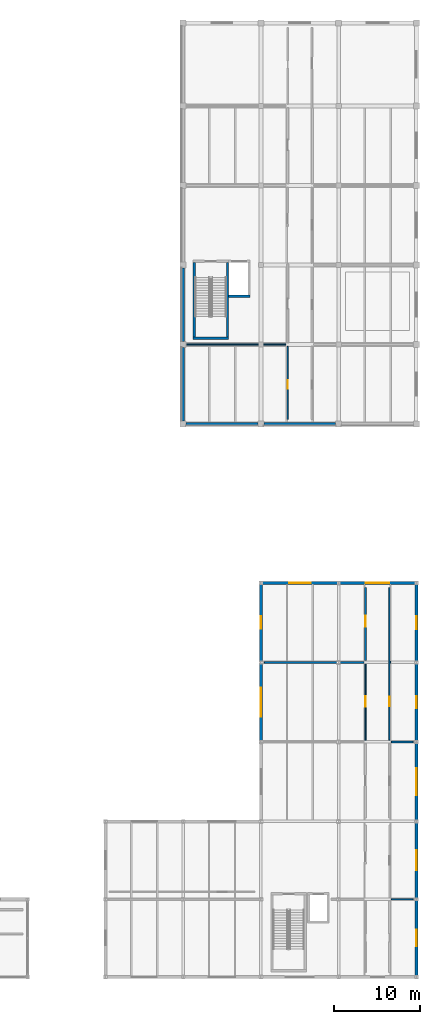
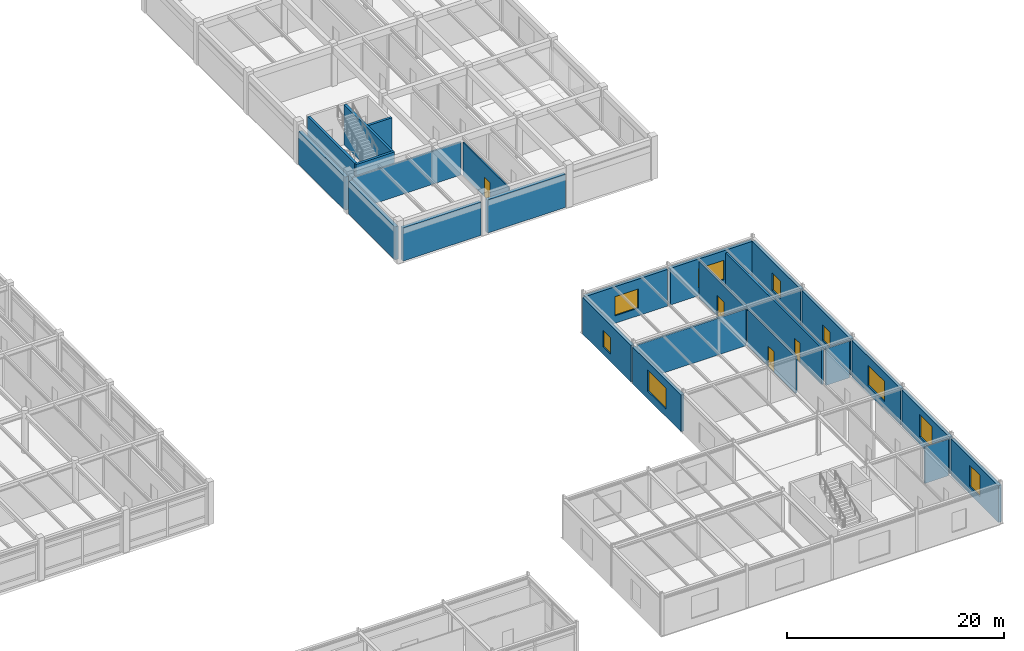
# One storey, part 50 of 61: 25 walls, 9 windows, 4 doors, 13 openings.
"""IFC4 building model written with IfcOpenShell, lengths in metres."""

from ifc_helpers import new_model, si_unit, direction, frame, frame_2d, origin, place, context, subcontext, project, spatial, rectangle, extrude, material, layer, layer_set, type_object, element, fill, save


model = new_model("IFC4")

# Units and contexts
model_context = context("Model", 3, precision=1e-05, world=origin(), true_north=direction((0.0, 1.0)))
body_context = subcontext(model_context, "Body", "Model", "MODEL_VIEW")
ifc_project = project(units=[si_unit("LENGTHUNIT", "METRE"), si_unit("AREAUNIT", "SQUARE_METRE"), si_unit("VOLUMEUNIT", "CUBIC_METRE"), si_unit("PLANEANGLEUNIT", "RADIAN"), si_unit("MASSUNIT", "GRAM", prefix="KILO")], contexts=[model_context])

# Site, building, storey
site_placement = place(None, origin())
site = spatial("IfcSite", under=ifc_project, at=site_placement, CompositionType="ELEMENT")
building_placement = place(site_placement, origin())
building = spatial("IfcBuilding", under=site, at=building_placement, Name="Bozkorgan Art Gallery", CompositionType="ELEMENT")
storey_placement = place(building_placement, frame((0.0, 0.0, 10.199951171875)))
storey = spatial("IfcBuildingStorey", under=building, at=storey_placement, Name="L02", CompositionType="ELEMENT", Elevation=10.199951171875)

# Walls
ifc_material_1 = material(Name="Concrete C40/50", Category="concrete")
ifc_layer_1 = layer(ifc_material_1, 0.25, Name="Concrete C40/50")
ifc_layer_set_1 = layer_set([ifc_layer_1], Name="Concrete C40/50")
wall_type_1 = type_object("IfcWallType", Name="IWALL-CW-51", PredefinedType="SHEAR", material=ifc_layer_set_1)
wall_1_placement = place(storey_placement, frame((138.14990234375, 75.925048828125, 0.0), z_axis=(0.0, 0.0, 1.0), x_axis=(1.0, 0.0, 0.0)))
element("IfcWall", 1, at=wall_1_placement, inside=storey, type_object=wall_type_1, Name="CORE3 L02 stair core S shear wall", PredefinedType="SHEAR", context=body_context, shape_type="SweptSolid", body=[
    extrude(rectangle(XDim=4.10009765625, YDim=0.25, at=frame_2d((2.050048828125, 0.0))), origin(), (0.0, 0.0, 1.0), 4.52001953125),
])
for number, where, z_axis, x_axis, name in (
    (2, (138.27490234375, 76.050048828125, 0.0), (0.0, 0.0, 1.0), (0.0, 1.0, 0.0), "CORE3 L02 stair core W shear wall"),
    (3, (142.125, 76.050048828125, 0.0), (0.0, 0.0, 1.0), (0.0, 1.0, 0.0), "CORE3 L02 stair core E shear wall"),
):
    element("IfcWall", number, at=place(storey_placement, frame(where, z_axis=z_axis, x_axis=x_axis)), inside=storey, type_object=wall_type_1, Name=name, PredefinedType="SHEAR", context=body_context, shape_type="SweptSolid", body=[
        extrude(rectangle(XDim=8.64990234375, YDim=0.25, at=frame_2d((4.324951171875, 0.0))), origin(), (0.0, 0.0, 1.0), 4.52001953125),
    ])
wall_2_placement = place(storey_placement, frame((142.25, 80.77490234375, 0.0), z_axis=(0.0, 0.0, 1.0), x_axis=(1.0, 0.0, 0.0)))
element("IfcWall", 4, at=wall_2_placement, inside=storey, type_object=wall_type_1, Name="GL1 L02 shaft S shear wall", PredefinedType="SHEAR", context=body_context, shape_type="SweptSolid", body=[
    extrude(rectangle(XDim=2.5, YDim=0.25, at=frame_2d((1.25, 0.0))), origin(), (0.0, 0.0, 1.0), 4.52001953125),
])

# Wall, opening, door
ifc_material_2 = material(Name="Acoustic Gypsum & Mineral Wool Partition")
ifc_layer_2 = layer(ifc_material_2, 0.2099609375, Name="Acoustic Gypsum & Mineral Wool Partition")
ifc_layer_set_2 = layer_set([ifc_layer_2], Name="Acoustic Gypsum & Mineral Wool Partition")
wall_type_2 = type_object("IfcWallType", Name="IWALL-PR-38", PredefinedType="PARTITIONING", material=ifc_layer_set_2)
wall_3_placement = place(storey_placement, frame((158.10009765625, 38.6201171875, 0.0), z_axis=(0.0, 0.0, 1.0), x_axis=(0.0, 1.0, 0.0)))
wall_3 = element("IfcWall", 5, at=wall_3_placement, inside=storey, type_object=wall_type_2, Name="V6 L02 acoustic partition wall 388", PredefinedType="PARTITIONING", context=body_context, shape_type="SweptSolid", body=[
    extrude(rectangle(XDim=8.43994140625, YDim=0.2099609375, at=frame_2d((4.219970703125, 0.0))), origin(), (0.0, 0.0, 1.0), 4.114990234375),
])
opening_1_placement = place(wall_3_placement, frame((5.1611328125, 0.0, 0.0), z_axis=(0.0, 0.0, 1.0), x_axis=(-1.0, 0.0, 0.0)))
opening_1 = element("IfcOpeningElement", 6, at=opening_1_placement, cuts=wall_3, Name="Opening FD-40", PredefinedType="OPENING", context=body_context, shape_type="SweptSolid", body=[
    extrude(rectangle(XDim=1.239990234375, YDim=2.320068359375, at=frame_2d((0.6201171875, 1.16015625))), frame((0.0, 0.114990234375, 0.0), z_axis=(0.0, -1.0, 0.0), x_axis=(1.0, 0.0, 0.0)), (0.0, 0.0, 1.0), 0.22998046875),
])
ifc_material_3 = material(Name="Oiled European Oak Joinery")
door_type_1 = type_object("IfcDoorType", Name="IDOOR-FD-40", OperationType="NOTDEFINED", PredefinedType="DOOR", material=ifc_material_3)
door_1_placement = place(opening_1_placement, origin())
door_1 = element("IfcDoor", 7, at=door_1_placement, inside=storey, type_object=door_type_1, Name="Collection Archive Room Door", OperationType="SINGLE_SWING_LEFT", OverallHeight=2.320068359375, OverallWidth=1.239990234375, PredefinedType="DOOR", context=body_context, shape_type="SweptSolid", body=[
    extrude(rectangle(XDim=1.239990234375, YDim=2.320068359375, at=frame_2d((0.6201171875, 1.16015625))), frame((0.0, 0.02490234375, 0.0), z_axis=(0.0, -1.0, 0.0), x_axis=(1.0, 0.0, 0.0)), (0.0, 0.0, 1.0), 0.050048828125),
])
fill(opening_1, door_1)

wall_4_placement = place(storey_placement, frame((160.89990234375, 29.419921875, 0.0), z_axis=(0.0, 0.0, 1.0), x_axis=(0.0, 1.0, 0.0)))
wall_4 = element("IfcWall", 8, at=wall_4_placement, inside=storey, type_object=wall_type_2, Name="V6 L02 acoustic partition wall 394", PredefinedType="PARTITIONING", context=body_context, shape_type="SweptSolid", body=[
    extrude(rectangle(XDim=17.64013671875, YDim=0.2099609375, at=frame_2d((8.820068359375, 0.0))), origin(), (0.0, 0.0, 1.0), 4.114990234375),
])
opening_2_placement = place(wall_4_placement, frame((3.908935546875, 0.0, 0.0)))
opening_2 = element("IfcOpeningElement", 9, at=opening_2_placement, cuts=wall_4, Name="Opening FD-44", PredefinedType="OPENING", context=body_context, shape_type="SweptSolid", body=[
    extrude(rectangle(XDim=1.080078125, YDim=2.239990234375, at=frame_2d((0.5400390625, 1.1201171875))), frame((0.0, 0.114990234375, 0.0), z_axis=(0.0, -1.0, 0.0), x_axis=(1.0, 0.0, 0.0)), (0.0, 0.0, 1.0), 0.22998046875),
])
door_type_2 = type_object("IfcDoorType", Name="IDOOR-FD-44", OperationType="NOTDEFINED", PredefinedType="DOOR", material=ifc_material_3)
door_2_placement = place(opening_2_placement, origin())
door_2 = element("IfcDoor", 10, at=door_2_placement, inside=storey, type_object=door_type_2, Name="Critique Seminar Room Door", OperationType="SINGLE_SWING_LEFT", OverallHeight=2.239990234375, OverallWidth=1.080078125, PredefinedType="DOOR", context=body_context, shape_type="SweptSolid", body=[
    extrude(rectangle(XDim=1.080078125, YDim=2.239990234375, at=frame_2d((0.5400390625, 1.1201171875))), frame((0.0, 0.02490234375, 0.0), z_axis=(0.0, -1.0, 0.0), x_axis=(1.0, 0.0, 0.0)), (0.0, 0.0, 1.0), 0.050048828125),
])
fill(opening_2, door_2)

ifc_layer_3 = layer(ifc_material_2, 0.169921875, Name="Acoustic Gypsum & Mineral Wool Partition")
ifc_layer_set_3 = layer_set([ifc_layer_3], Name="Acoustic Gypsum & Mineral Wool Partition")
wall_type_3 = type_object("IfcWallType", Name="IWALL-PR-40", PredefinedType="PARTITIONING", material=ifc_layer_set_3)
wall_5_placement = place(storey_placement, frame((158.10009765625, 29.419921875, 0.0), z_axis=(0.0, 0.0, 1.0), x_axis=(0.0, 1.0, 0.0)))
wall_5 = element("IfcWall", 11, at=wall_5_placement, inside=storey, type_object=wall_type_3, Name="V6 L02 acoustic partition wall 386", PredefinedType="PARTITIONING", context=body_context, shape_type="SweptSolid", body=[
    extrude(rectangle(XDim=8.760009765625, YDim=0.169921875, at=frame_2d((4.3798828125, 0.0))), origin(), (0.0, 0.0, 1.0), 4.114990234375),
])
opening_3_placement = place(wall_5_placement, frame((5.039794921875, 0.0, 0.0), z_axis=(0.0, 0.0, 1.0), x_axis=(-1.0, 0.0, 0.0)))
opening_3 = element("IfcOpeningElement", 12, at=opening_3_placement, cuts=wall_5, Name="Opening FD-03", PredefinedType="OPENING", context=body_context, shape_type="SweptSolid", body=[
    extrude(rectangle(XDim=1.159912109375, YDim=2.280029296875, at=frame_2d((0.580078125, 1.14013671875))), frame((0.0, 0.094970703125, 0.0), z_axis=(0.0, -1.0, 0.0), x_axis=(1.0, 0.0, 0.0)), (0.0, 0.0, 1.0), 0.18994140625),
])
door_type_3 = type_object("IfcDoorType", Name="IDOOR-FD-03", OperationType="NOTDEFINED", PredefinedType="DOOR", material=ifc_material_3)
door_3_placement = place(opening_3_placement, origin())
door_3 = element("IfcDoor", 13, at=door_3_placement, inside=storey, type_object=door_type_3, Name="Tool Material Store Door", OperationType="SINGLE_SWING_RIGHT", OverallHeight=2.280029296875, OverallWidth=1.159912109375, PredefinedType="DOOR", context=body_context, shape_type="SweptSolid", body=[
    extrude(rectangle(XDim=1.159912109375, YDim=2.280029296875, at=frame_2d((0.580078125, 1.14013671875))), frame((0.0, 0.02490234375, 0.0), z_axis=(0.0, -1.0, 0.0), x_axis=(1.0, 0.0, 0.0)), (0.0, 0.0, 1.0), 0.050048828125),
])
fill(opening_3, door_3)

ifc_layer_4 = layer(ifc_material_2, 0.1298828125, Name="Acoustic Gypsum & Mineral Wool Partition")
ifc_layer_set_4 = layer_set([ifc_layer_4], Name="Acoustic Gypsum & Mineral Wool Partition")
wall_type_4 = type_object("IfcWallType", Name="IWALL-PR-76", PredefinedType="PARTITIONING", material=ifc_layer_set_4)
wall_6_placement = place(storey_placement, frame((149.10009765625, 66.5400390625, 0.0), z_axis=(0.0, 0.0, 1.0), x_axis=(0.0, 1.0, 0.0)))
wall_6 = element("IfcWall", 14, at=wall_6_placement, inside=storey, type_object=wall_type_4, Name="V5 L02 acoustic partition wall 312", PredefinedType="PARTITIONING", context=body_context, shape_type="SweptSolid", body=[
    extrude(rectangle(XDim=8.43994140625, YDim=0.1298828125, at=frame_2d((4.219970703125, 0.0))), origin(), (0.0, 0.0, 1.0), 3.715087890625),
])
opening_4_placement = place(wall_6_placement, frame((4.518798828125, 0.0, 0.0), z_axis=(0.0, 0.0, 1.0), x_axis=(-1.0, 0.0, 0.0)))
opening_4 = element("IfcOpeningElement", 15, at=opening_4_placement, cuts=wall_6, Name="Opening FD-60", PredefinedType="OPENING", context=body_context, shape_type="SweptSolid", body=[
    extrude(rectangle(XDim=1.0, YDim=2.199951171875, at=frame_2d((0.5, 1.10009765625))), frame((0.0, 0.074951171875, 0.0), z_axis=(0.0, -1.0, 0.0), x_axis=(1.0, 0.0, 0.0)), (0.0, 0.0, 1.0), 0.14990234375),
])
door_type_4 = type_object("IfcDoorType", Name="IDOOR-FD-60", OperationType="NOTDEFINED", PredefinedType="DOOR", material=ifc_material_3)
door_4_placement = place(opening_4_placement, origin())
door_4 = element("IfcDoor", 16, at=door_4_placement, inside=storey, type_object=door_type_4, Name="Climate Art Store Door", OperationType="SINGLE_SWING_LEFT", OverallHeight=2.199951171875, OverallWidth=1.0, PredefinedType="DOOR", context=body_context, shape_type="SweptSolid", body=[
    extrude(rectangle(XDim=1.0, YDim=2.199951171875, at=frame_2d((0.5, 1.10009765625))), frame((0.0, 0.02490234375, 0.0), z_axis=(0.0, -1.0, 0.0), x_axis=(1.0, 0.0, 0.0)), (0.0, 0.0, 1.0), 0.050048828125),
])
fill(opening_4, door_4)

# Walls
ifc_layer_5 = layer(ifc_material_2, 0.14990234375, Name="Acoustic Gypsum & Mineral Wool Partition")
ifc_layer_set_5 = layer_set([ifc_layer_5], Name="Acoustic Gypsum & Mineral Wool Partition")
wall_type_5 = type_object("IfcWallType", Name="IWALL-PW-17", PredefinedType="PARTITIONING", material=ifc_layer_set_5)
wall_7_placement = place(storey_placement, frame((137.39990234375, 75.199951171875, 0.0), z_axis=(0.0, 0.0, 1.0), x_axis=(1.0, 0.0, 0.0)))
element("IfcWall", 17, at=wall_7_placement, inside=storey, type_object=wall_type_5, Name="V5 L02 acoustic partition wall 313", PredefinedType="PARTITIONING", context=body_context, shape_type="SweptSolid", body=[
    extrude(rectangle(XDim=11.5, YDim=0.14990234375, at=frame_2d((5.75, 0.0))), origin(), (0.0, 0.0, 1.0), 3.715087890625),
])
ifc_layer_6 = layer(ifc_material_2, 0.18994140625, Name="Acoustic Gypsum & Mineral Wool Partition")
ifc_layer_set_6 = layer_set([ifc_layer_6], Name="Acoustic Gypsum & Mineral Wool Partition")
wall_type_6 = type_object("IfcWallType", Name="IWALL-PW-23", PredefinedType="PARTITIONING", material=ifc_layer_set_6)
wall_8_placement = place(storey_placement, frame((146.39990234375, 38.39990234375, 0.0), z_axis=(0.0, 0.0, 1.0), x_axis=(1.0, 0.0, 0.0)))
element("IfcWall", 18, at=wall_8_placement, inside=storey, type_object=wall_type_6, Name="V6 L02 acoustic partition wall 387", PredefinedType="PARTITIONING", context=body_context, shape_type="SweptSolid", body=[
    extrude(rectangle(XDim=11.5, YDim=0.18994140625, at=frame_2d((5.75, 0.0))), origin(), (0.0, 0.0, 1.0), 4.114990234375),
])
wall_9_placement = place(storey_placement, frame((161.10009765625, 29.199951171875, 0.0), z_axis=(0.0, 0.0, 1.0), x_axis=(1.0, 0.0, 0.0)))
element("IfcWall", 19, at=wall_9_placement, inside=storey, type_object=wall_type_6, Name="V6 L02 acoustic partition wall 393", PredefinedType="PARTITIONING", context=body_context, shape_type="SweptSolid", body=[
    extrude(rectangle(XDim=2.5, YDim=0.18994140625, at=frame_2d((1.25, 0.0))), origin(), (0.0, 0.0, 1.0), 4.114990234375),
])
ifc_layer_7 = layer(ifc_material_2, 0.1298828125, Name="Acoustic Gypsum & Mineral Wool Partition")
ifc_layer_set_7 = layer_set([ifc_layer_7], Name="Acoustic Gypsum & Mineral Wool Partition")
wall_type_7 = type_object("IfcWallType", Name="IWALL-PW-97", PredefinedType="PARTITIONING", material=ifc_layer_set_7)
wall_10_placement = place(storey_placement, frame((161.10009765625, 11.0, 0.0), z_axis=(0.0, 0.0, 1.0), x_axis=(1.0, 0.0, 0.0)))
element("IfcWall", 20, at=wall_10_placement, inside=storey, type_object=wall_type_7, Name="V6 L02 acoustic partition wall 390", PredefinedType="PARTITIONING", context=body_context, shape_type="SweptSolid", body=[
    extrude(rectangle(XDim=2.5, YDim=0.1298828125, at=frame_2d((1.25, 0.0))), origin(), (0.0, 0.0, 1.0), 4.114990234375),
])

# Wall, opening, window
ifc_material_4 = material(Name="Pressed Terracotta Brick Masonry", Category="masonry")
ifc_layer_8 = layer(ifc_material_4, 0.340087890625, Name="Pressed Terracotta Brick Masonry")
ifc_layer_set_8 = layer_set([ifc_layer_8], Name="Pressed Terracotta Brick Masonry")
wall_type_8 = type_object("IfcWallType", Name="WALL-WB-71", PredefinedType="STANDARD", material=ifc_layer_set_8)
wall_11_placement = place(storey_placement, frame((164.0, 2.139892578125, 0.0), z_axis=(0.0, 0.0, 1.0), x_axis=(0.0, 1.0, 0.0)))
wall_11 = element("IfcWall", 21, at=wall_11_placement, inside=storey, type_object=wall_type_8, Name="V6 L02 exterior facade wall 1E-8", PredefinedType="STANDARD", context=body_context, shape_type="SweptSolid", body=[
    extrude(rectangle(XDim=8.72021484375, YDim=0.340087890625, at=frame_2d((4.360107421875, 0.0))), origin(), (0.0, 0.0, 1.0), 4.114990234375),
])
opening_5_placement = place(wall_11_placement, frame((5.309814453125, 0.0, 0.85009765625), z_axis=(0.0, 0.0, 1.0), x_axis=(-1.0, 0.0, 0.0)))
opening_5 = element("IfcOpeningElement", 22, at=opening_5_placement, cuts=wall_11, Name="Opening WN-52", PredefinedType="OPENING", context=body_context, shape_type="SweptSolid", body=[
    extrude(rectangle(XDim=1.89990234375, YDim=2.39990234375, at=frame_2d((0.949951171875, 1.199951171875))), frame((0.0, 0.18017578125, 0.0), z_axis=(0.0, -1.0, 0.0), x_axis=(1.0, 0.0, 0.0)), (0.0, 0.0, 1.0), 0.360107421875),
])
ifc_material_5 = material(Name="Triple Low-E Laminated Glass", Category="glass")
window_type_1 = type_object("IfcWindowType", Name="WIN-WN-52", PartitioningType="SINGLE_PANEL", PredefinedType="WINDOW", material=ifc_material_5)
window_1_placement = place(opening_5_placement, origin())
window_1 = element("IfcWindow", 23, at=window_1_placement, inside=storey, type_object=window_type_1, Name="V6 L02 gallery window 1E-8", OverallHeight=2.39990234375, OverallWidth=1.89990234375, PartitioningType="SINGLE_PANEL", PredefinedType="WINDOW", context=body_context, shape_type="SweptSolid", body=[
    extrude(rectangle(XDim=1.89990234375, YDim=2.39990234375, at=frame_2d((0.949951171875, 1.199951171875))), frame((0.0, 0.030029296875, 0.0), z_axis=(0.0, -1.0, 0.0), x_axis=(1.0, 0.0, 0.0)), (0.0, 0.0, 1.0), 0.06005859375),
])
fill(opening_5, window_1)

wall_12_placement = place(storey_placement, frame((164.0, 11.139892578125, 0.0), z_axis=(0.0, 0.0, 1.0), x_axis=(0.0, 1.0, 0.0)))
wall_12 = element("IfcWall", 24, at=wall_12_placement, inside=storey, type_object=wall_type_8, Name="V6 L02 exterior facade wall 1E-10", PredefinedType="STANDARD", context=body_context, shape_type="SweptSolid", body=[
    extrude(rectangle(XDim=8.72021484375, YDim=0.340087890625, at=frame_2d((4.360107421875, 0.0))), origin(), (0.0, 0.0, 1.0), 4.114990234375),
])
opening_6_placement = place(wall_12_placement, frame((5.510009765625, 0.0, 0.85009765625), z_axis=(0.0, 0.0, 1.0), x_axis=(-1.0, 0.0, 0.0)))
opening_6 = element("IfcOpeningElement", 25, at=opening_6_placement, cuts=wall_12, Name="Opening WN-48", PredefinedType="OPENING", context=body_context, shape_type="SweptSolid", body=[
    extrude(rectangle(XDim=2.300048828125, YDim=2.5, at=frame_2d((1.14990234375, 1.25))), frame((0.0, 0.18017578125, 0.0), z_axis=(0.0, -1.0, 0.0), x_axis=(1.0, 0.0, 0.0)), (0.0, 0.0, 1.0), 0.360107421875),
])
window_type_2 = type_object("IfcWindowType", Name="WIN-WN-48", PartitioningType="SINGLE_PANEL", PredefinedType="WINDOW", material=ifc_material_5)
window_2_placement = place(opening_6_placement, origin())
window_2 = element("IfcWindow", 26, at=window_2_placement, inside=storey, type_object=window_type_2, Name="V6 L02 gallery window 1E-10", OverallHeight=2.5, OverallWidth=2.300048828125, PartitioningType="SINGLE_PANEL", PredefinedType="WINDOW", context=body_context, shape_type="SweptSolid", body=[
    extrude(rectangle(XDim=2.300048828125, YDim=2.5, at=frame_2d((1.14990234375, 1.25))), frame((0.0, 0.030029296875, 0.0), z_axis=(0.0, -1.0, 0.0), x_axis=(1.0, 0.0, 0.0)), (0.0, 0.0, 1.0), 0.06005859375),
])
fill(opening_6, window_2)

wall_13_placement = place(storey_placement, frame((146.139892578125, 47.60009765625, 0.0), z_axis=(0.0, 0.0, 1.0), x_axis=(1.0, 0.0, 0.0)))
wall_13 = element("IfcWall", 27, at=wall_13_placement, inside=storey, type_object=wall_type_8, Name="V6 L02 exterior facade wall 2N-1", PredefinedType="STANDARD", context=body_context, shape_type="SweptSolid", body=[
    extrude(rectangle(XDim=8.72021484375, YDim=0.340087890625, at=frame_2d((4.360107421875, 0.0))), origin(), (0.0, 0.0, 1.0), 4.114990234375),
])
opening_7_placement = place(wall_13_placement, frame((3.110107421875, 0.0, 0.85009765625)))
opening_7 = element("IfcOpeningElement", 28, at=opening_7_placement, cuts=wall_13, Name="Opening WN-55", PredefinedType="OPENING", context=body_context, shape_type="SweptSolid", body=[
    extrude(rectangle(XDim=2.5, YDim=2.14990234375, at=frame_2d((1.25, 1.074951171875))), frame((0.0, 0.18017578125, 0.0), z_axis=(0.0, -1.0, 0.0), x_axis=(1.0, 0.0, 0.0)), (0.0, 0.0, 1.0), 0.360107421875),
])
window_type_3 = type_object("IfcWindowType", Name="WIN-WN-55", PartitioningType="SINGLE_PANEL", PredefinedType="WINDOW", material=ifc_material_5)
window_3_placement = place(opening_7_placement, origin())
window_3 = element("IfcWindow", 29, at=window_3_placement, inside=storey, type_object=window_type_3, Name="V6 L02 gallery window 2N-1", OverallHeight=2.14990234375, OverallWidth=2.5, PartitioningType="SINGLE_PANEL", PredefinedType="WINDOW", context=body_context, shape_type="SweptSolid", body=[
    extrude(rectangle(XDim=2.5, YDim=2.14990234375, at=frame_2d((1.25, 1.074951171875))), frame((0.0, 0.030029296875, 0.0), z_axis=(0.0, -1.0, 0.0), x_axis=(1.0, 0.0, 0.0)), (0.0, 0.0, 1.0), 0.06005859375),
])
fill(opening_7, window_3)

wall_14_placement = place(storey_placement, frame((155.139892578125, 47.60009765625, 0.0), z_axis=(0.0, 0.0, 1.0), x_axis=(1.0, 0.0, 0.0)))
wall_14 = element("IfcWall", 30, at=wall_14_placement, inside=storey, type_object=wall_type_8, Name="V6 L02 exterior facade wall 2N-2", PredefinedType="STANDARD", context=body_context, shape_type="SweptSolid", body=[
    extrude(rectangle(XDim=8.72021484375, YDim=0.340087890625, at=frame_2d((4.360107421875, 0.0))), origin(), (0.0, 0.0, 1.0), 4.114990234375),
])
opening_8_placement = place(wall_14_placement, frame((3.010009765625, 0.0, 0.85009765625)))
opening_8 = element("IfcOpeningElement", 31, at=opening_8_placement, cuts=wall_14, Name="Opening WN-57", PredefinedType="OPENING", context=body_context, shape_type="SweptSolid", body=[
    extrude(rectangle(XDim=2.699951171875, YDim=2.199951171875, at=frame_2d((1.35009765625, 1.10009765625))), frame((0.0, 0.18017578125, 0.0), z_axis=(0.0, -1.0, 0.0), x_axis=(1.0, 0.0, 0.0)), (0.0, 0.0, 1.0), 0.360107421875),
])
window_type_4 = type_object("IfcWindowType", Name="WIN-WN-57", PartitioningType="SINGLE_PANEL", PredefinedType="WINDOW", material=ifc_material_5)
window_4_placement = place(opening_8_placement, origin())
window_4 = element("IfcWindow", 32, at=window_4_placement, inside=storey, type_object=window_type_4, Name="V6 L02 gallery window 2N-2", OverallHeight=2.199951171875, OverallWidth=2.699951171875, PartitioningType="SINGLE_PANEL", PredefinedType="WINDOW", context=body_context, shape_type="SweptSolid", body=[
    extrude(rectangle(XDim=2.699951171875, YDim=2.199951171875, at=frame_2d((1.35009765625, 1.10009765625))), frame((0.0, 0.030029296875, 0.0), z_axis=(0.0, -1.0, 0.0), x_axis=(1.0, 0.0, 0.0)), (0.0, 0.0, 1.0), 0.06005859375),
])
fill(opening_8, window_4)

wall_15_placement = place(storey_placement, frame((164.0, 20.139892578125, 0.0), z_axis=(0.0, 0.0, 1.0), x_axis=(0.0, 1.0, 0.0)))
wall_15 = element("IfcWall", 33, at=wall_15_placement, inside=storey, type_object=wall_type_8, Name="V6 L02 exterior facade wall 2E-4", PredefinedType="STANDARD", context=body_context, shape_type="SweptSolid", body=[
    extrude(rectangle(XDim=8.920166015625, YDim=0.340087890625, at=frame_2d((4.4599609375, 0.0))), origin(), (0.0, 0.0, 1.0), 4.114990234375),
])
opening_9_placement = place(wall_15_placement, frame((6.010009765625, 0.0, 0.85009765625), z_axis=(0.0, 0.0, 1.0), x_axis=(-1.0, 0.0, 0.0)))
opening_9 = element("IfcOpeningElement", 34, at=opening_9_placement, cuts=wall_15, Name="Opening WN-71", PredefinedType="OPENING", context=body_context, shape_type="SweptSolid", body=[
    extrude(rectangle(XDim=3.10009765625, YDim=2.300048828125, at=frame_2d((1.550048828125, 1.14990234375))), frame((0.0, 0.18017578125, 0.0), z_axis=(0.0, -1.0, 0.0), x_axis=(1.0, 0.0, 0.0)), (0.0, 0.0, 1.0), 0.360107421875),
])
window_type_5 = type_object("IfcWindowType", Name="WIN-WN-71", PartitioningType="SINGLE_PANEL", PredefinedType="WINDOW", material=ifc_material_5)
window_5_placement = place(opening_9_placement, origin())
window_5 = element("IfcWindow", 35, at=window_5_placement, inside=storey, type_object=window_type_5, Name="V6 L02 gallery window 2E-4", OverallHeight=2.300048828125, OverallWidth=3.10009765625, PartitioningType="SINGLE_PANEL", PredefinedType="WINDOW", context=body_context, shape_type="SweptSolid", body=[
    extrude(rectangle(XDim=3.10009765625, YDim=2.300048828125, at=frame_2d((1.550048828125, 1.14990234375))), frame((0.0, 0.030029296875, 0.0), z_axis=(0.0, -1.0, 0.0), x_axis=(1.0, 0.0, 0.0)), (0.0, 0.0, 1.0), 0.06005859375),
])
fill(opening_9, window_5)

wall_16_placement = place(storey_placement, frame((146.0, 29.340087890625, 0.0), z_axis=(0.0, 0.0, 1.0), x_axis=(0.0, 1.0, 0.0)))
wall_16 = element("IfcWall", 36, at=wall_16_placement, inside=storey, type_object=wall_type_8, Name="V6 L02 exterior facade wall 2W-5", PredefinedType="STANDARD", context=body_context, shape_type="SweptSolid", body=[
    extrude(rectangle(XDim=8.919921875, YDim=0.340087890625, at=frame_2d((4.4599609375, 0.0))), origin(), (0.0, 0.0, 1.0), 4.114990234375),
])
opening_10_placement = place(wall_16_placement, frame((2.760009765625, 0.0, 0.85009765625)))
opening_10 = element("IfcOpeningElement", 37, at=opening_10_placement, cuts=wall_16, Name="Opening WN-90", PredefinedType="OPENING", context=body_context, shape_type="SweptSolid", body=[
    extrude(rectangle(XDim=3.39990234375, YDim=2.39990234375, at=frame_2d((1.699951171875, 1.199951171875))), frame((0.0, 0.18017578125, 0.0), z_axis=(0.0, -1.0, 0.0), x_axis=(1.0, 0.0, 0.0)), (0.0, 0.0, 1.0), 0.360107421875),
])
window_type_6 = type_object("IfcWindowType", Name="WIN-WN-90", PartitioningType="SINGLE_PANEL", PredefinedType="WINDOW", material=ifc_material_5)
window_6_placement = place(opening_10_placement, origin())
window_6 = element("IfcWindow", 38, at=window_6_placement, inside=storey, type_object=window_type_6, Name="V6 L02 gallery window 2W-5", OverallHeight=2.39990234375, OverallWidth=3.39990234375, PartitioningType="SINGLE_PANEL", PredefinedType="WINDOW", context=body_context, shape_type="SweptSolid", body=[
    extrude(rectangle(XDim=3.39990234375, YDim=2.39990234375, at=frame_2d((1.699951171875, 1.199951171875))), frame((0.0, 0.030029296875, 0.0), z_axis=(0.0, -1.0, 0.0), x_axis=(1.0, 0.0, 0.0)), (0.0, 0.0, 1.0), 0.06005859375),
])
fill(opening_10, window_6)

wall_17_placement = place(storey_placement, frame((164.0, 29.340087890625, 0.0), z_axis=(0.0, 0.0, 1.0), x_axis=(0.0, 1.0, 0.0)))
wall_17 = element("IfcWall", 39, at=wall_17_placement, inside=storey, type_object=wall_type_8, Name="V6 L02 exterior facade wall 2E-6", PredefinedType="STANDARD", context=body_context, shape_type="SweptSolid", body=[
    extrude(rectangle(XDim=8.919921875, YDim=0.340087890625, at=frame_2d((4.4599609375, 0.0))), origin(), (0.0, 0.0, 1.0), 4.114990234375),
])
opening_11_placement = place(wall_17_placement, frame((5.135009765625, 0.0, 0.85009765625), z_axis=(0.0, 0.0, 1.0), x_axis=(-1.0, 0.0, 0.0)))
opening_11 = element("IfcOpeningElement", 40, at=opening_11_placement, cuts=wall_17, Name="Opening WN-63", PredefinedType="OPENING", context=body_context, shape_type="SweptSolid", body=[
    extrude(rectangle(XDim=1.35009765625, YDim=1.75, at=frame_2d((0.675048828125, 0.875))), frame((0.0, 0.18017578125, 0.0), z_axis=(0.0, -1.0, 0.0), x_axis=(1.0, 0.0, 0.0)), (0.0, 0.0, 1.0), 0.360107421875),
])
window_type_7 = type_object("IfcWindowType", Name="WIN-WN-63", PartitioningType="SINGLE_PANEL", PredefinedType="WINDOW", material=ifc_material_5)
window_7_placement = place(opening_11_placement, origin())
window_7 = element("IfcWindow", 41, at=window_7_placement, inside=storey, type_object=window_type_7, Name="V6 L02 gallery window 2E-6", OverallHeight=1.75, OverallWidth=1.35009765625, PartitioningType="SINGLE_PANEL", PredefinedType="WINDOW", context=body_context, shape_type="SweptSolid", body=[
    extrude(rectangle(XDim=1.35009765625, YDim=1.75, at=frame_2d((0.675048828125, 0.875))), frame((0.0, 0.030029296875, 0.0), z_axis=(0.0, -1.0, 0.0), x_axis=(1.0, 0.0, 0.0)), (0.0, 0.0, 1.0), 0.06005859375),
])
fill(opening_11, window_7)

wall_18_placement = place(storey_placement, frame((146.0, 38.5400390625, 0.0), z_axis=(0.0, 0.0, 1.0), x_axis=(0.0, 1.0, 0.0)))
wall_18 = element("IfcWall", 42, at=wall_18_placement, inside=storey, type_object=wall_type_8, Name="V6 L02 exterior facade wall 2W-7", PredefinedType="STANDARD", context=body_context, shape_type="SweptSolid", body=[
    extrude(rectangle(XDim=8.919921875, YDim=0.340087890625, at=frame_2d((4.4599609375, 0.0))), origin(), (0.0, 0.0, 1.0), 4.114990234375),
])
opening_12_placement = place(wall_18_placement, frame((3.735107421875, 0.0, 0.85009765625)))
opening_12 = element("IfcOpeningElement", 43, at=opening_12_placement, cuts=wall_18, Name="Opening WN-34", PredefinedType="OPENING", context=body_context, shape_type="SweptSolid", body=[
    extrude(rectangle(XDim=1.449951171875, YDim=1.85009765625, at=frame_2d((0.72509765625, 0.925048828125))), frame((0.0, 0.18017578125, 0.0), z_axis=(0.0, -1.0, 0.0), x_axis=(1.0, 0.0, 0.0)), (0.0, 0.0, 1.0), 0.360107421875),
])
window_type_8 = type_object("IfcWindowType", Name="WIN-WN-34", PartitioningType="SINGLE_PANEL", PredefinedType="WINDOW", material=ifc_material_5)
window_8_placement = place(opening_12_placement, origin())
window_8 = element("IfcWindow", 44, at=window_8_placement, inside=storey, type_object=window_type_8, Name="V6 L02 gallery window 2W-7", OverallHeight=1.85009765625, OverallWidth=1.449951171875, PartitioningType="SINGLE_PANEL", PredefinedType="WINDOW", context=body_context, shape_type="SweptSolid", body=[
    extrude(rectangle(XDim=1.449951171875, YDim=1.85009765625, at=frame_2d((0.72509765625, 0.925048828125))), frame((0.0, 0.030029296875, 0.0), z_axis=(0.0, -1.0, 0.0), x_axis=(1.0, 0.0, 0.0)), (0.0, 0.0, 1.0), 0.06005859375),
])
fill(opening_12, window_8)

wall_19_placement = place(storey_placement, frame((164.0, 38.5400390625, 0.0), z_axis=(0.0, 0.0, 1.0), x_axis=(0.0, 1.0, 0.0)))
wall_19 = element("IfcWall", 45, at=wall_19_placement, inside=storey, type_object=wall_type_8, Name="V6 L02 exterior facade wall 2E-8", PredefinedType="STANDARD", context=body_context, shape_type="SweptSolid", body=[
    extrude(rectangle(XDim=8.919921875, YDim=0.340087890625, at=frame_2d((4.4599609375, 0.0))), origin(), (0.0, 0.0, 1.0), 4.114990234375),
])
opening_13_placement = place(wall_19_placement, frame((5.235107421875, 0.0, 0.85009765625), z_axis=(0.0, 0.0, 1.0), x_axis=(-1.0, 0.0, 0.0)))
opening_13 = element("IfcOpeningElement", 46, at=opening_13_placement, cuts=wall_19, Name="Opening WN-44", PredefinedType="OPENING", context=body_context, shape_type="SweptSolid", body=[
    extrude(rectangle(XDim=1.550048828125, YDim=1.949951171875, at=frame_2d((0.77490234375, 0.97509765625))), frame((0.0, 0.18017578125, 0.0), z_axis=(0.0, -1.0, 0.0), x_axis=(1.0, 0.0, 0.0)), (0.0, 0.0, 1.0), 0.360107421875),
])
window_type_9 = type_object("IfcWindowType", Name="WIN-WN-44", PartitioningType="SINGLE_PANEL", PredefinedType="WINDOW", material=ifc_material_5)
window_9_placement = place(opening_13_placement, origin())
window_9 = element("IfcWindow", 47, at=window_9_placement, inside=storey, type_object=window_type_9, Name="V6 L02 gallery window 2E-8", OverallHeight=1.949951171875, OverallWidth=1.550048828125, PartitioningType="SINGLE_PANEL", PredefinedType="WINDOW", context=body_context, shape_type="SweptSolid", body=[
    extrude(rectangle(XDim=1.550048828125, YDim=1.949951171875, at=frame_2d((0.77490234375, 0.97509765625))), frame((0.0, 0.030029296875, 0.0), z_axis=(0.0, -1.0, 0.0), x_axis=(1.0, 0.0, 0.0)), (0.0, 0.0, 1.0), 0.06005859375),
])
fill(opening_13, window_9)

# Walls
ifc_layer_9 = layer(ifc_material_4, 0.360107421875, Name="Pressed Terracotta Brick Masonry")
ifc_layer_set_9 = layer_set([ifc_layer_9], Name="Pressed Terracotta Brick Masonry")
wall_type_9 = type_object("IfcWallType", Name="WALL-WB-99", PredefinedType="STANDARD", material=ifc_layer_set_9)
for number, where, z_axis, x_axis, name in (
    (48, (137.35009765625, 66.0, 0.0), (0.0, 0.0, 1.0), (1.0, 0.0, 0.0), "V5 L02 exterior facade wall 1S-1"),
    (49, (146.35009765625, 66.0, 0.0), (0.0, 0.0, 1.0), (1.0, 0.0, 0.0), "V5 L02 exterior facade wall 1S-3"),
):
    element("IfcWall", number, at=place(storey_placement, frame(where, z_axis=z_axis, x_axis=x_axis)), inside=storey, type_object=wall_type_9, Name=name, PredefinedType="STANDARD", context=body_context, shape_type="SweptSolid", body=[
        extrude(rectangle(XDim=8.2998046875, YDim=0.360107421875, at=frame_2d((4.14990234375, 0.0))), origin(), (0.0, 0.0, 1.0), 3.715087890625),
    ])
for number, where, z_axis, x_axis, name in (
    (50, (137.0, 66.35009765625, 0.0), (0.0, 0.0, 1.0), (0.0, 1.0, 0.0), "V5 L02 exterior facade wall 1W-7"),
    (51, (137.0, 75.550048828125, 0.0), (0.0, 0.0, 1.0), (0.0, 1.0, 0.0), "V5 L02 exterior facade wall 1W-9"),
):
    element("IfcWall", number, at=place(storey_placement, frame(where, z_axis=z_axis, x_axis=x_axis)), inside=storey, type_object=wall_type_9, Name=name, PredefinedType="STANDARD", context=body_context, shape_type="SweptSolid", body=[
        extrude(rectangle(XDim=8.5, YDim=0.360107421875, at=frame_2d((4.25, 0.0))), origin(), (0.0, 0.0, 1.0), 3.715087890625),
    ])

save(model, "model.ifc")
